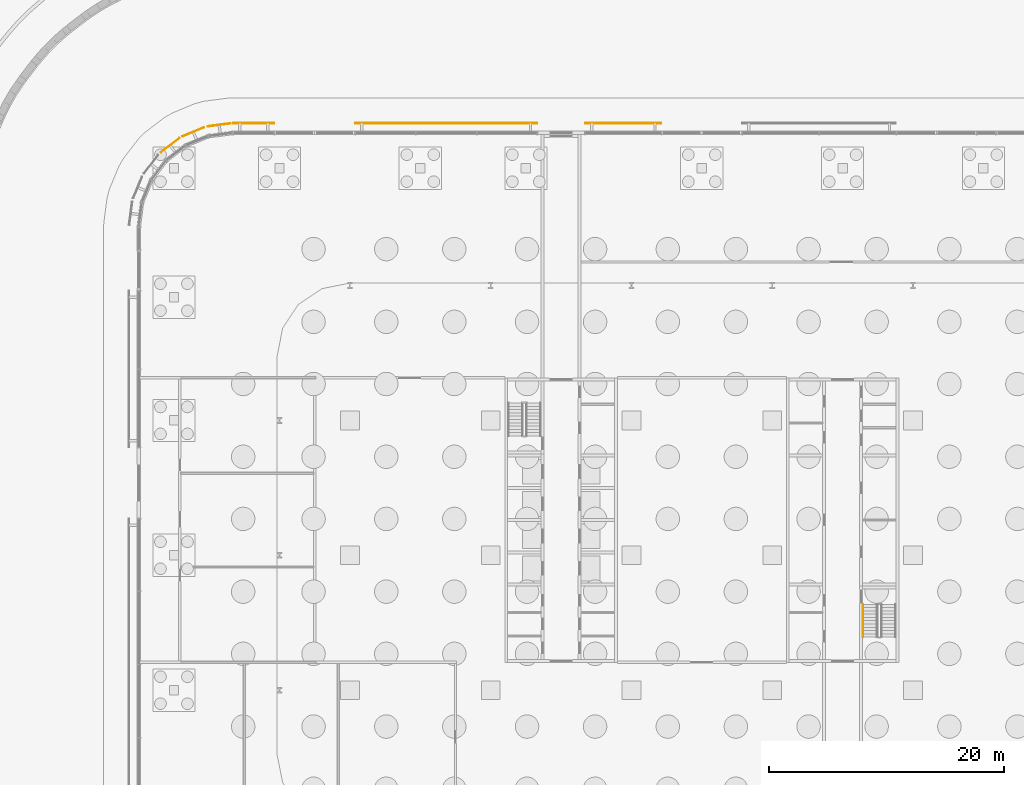
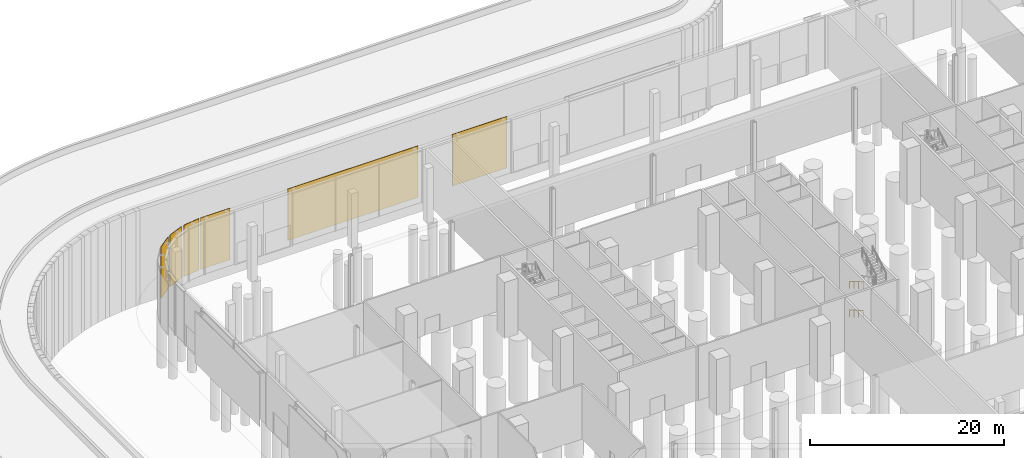
# One storey, part 40 of 48: 6 coverings, 2 railings.
"""IFC4 building model written with IfcOpenShell, lengths in metres."""

from ifc_helpers import new_model, si_unit, direction, frame, origin, origin_2d, place, context, subcontext, project, spatial, rectangle, circle, extrude, material, layer, layer_set, type_object, element, save


model = new_model("IFC4")

# Units and contexts
model_context = context("Model", 3, precision=1e-05, world=origin(), true_north=direction((0.0, 1.0)))
body_context = subcontext(model_context, "Body", "Model", "MODEL_VIEW")
ifc_project = project(units=[si_unit("LENGTHUNIT", "METRE"), si_unit("AREAUNIT", "SQUARE_METRE"), si_unit("VOLUMEUNIT", "CUBIC_METRE"), si_unit("PLANEANGLEUNIT", "RADIAN"), si_unit("MASSUNIT", "GRAM", prefix="KILO")], contexts=[model_context])

# Site, building, storey
site_placement = place(None, origin())
site = spatial("IfcSite", under=ifc_project, at=site_placement, CompositionType="ELEMENT")
building_placement = place(site_placement, origin())
building = spatial("IfcBuilding", under=site, at=building_placement, Name="Mahtab Terrace Research Tower", CompositionType="ELEMENT")
storey_placement = place(building_placement, origin())
storey = spatial("IfcBuildingStorey", under=building, at=storey_placement, Name="G", CompositionType="ELEMENT", Elevation=0.0)

# Coverings
ifc_material_1 = material(Name="Bronze anodised aluminium", Category="aluminium")
ifc_layer = layer(ifc_material_1, 0.06005859375)
ifc_layer_set = layer_set([ifc_layer], Name="Ground facade girih screen panel")
covering_type = type_object("IfcCoveringType", Name="Ground facade girih screen panel", PredefinedType="CLADDING", material=ifc_layer_set)
covering_1_placement = place(storey_placement, frame((-18.699951171875, 36.830078125, 0.10009765625), z_axis=(0.0, 0.0, 1.0), x_axis=(-1.0, 0.0, 0.0)))
element("IfcCovering", 1, at=covering_1_placement, inside=storey, type_object=covering_type, Name="Girih screen ground N12", PredefinedType="CLADDING", context=body_context, shape_type="SweptSolid", body=[
    extrude(rectangle(XDim=6.5, YDim=0.06005859375, at=origin_2d()), origin(), (0.0, 0.0, 1.0), 6.5),
])
covering_2_placement = place(storey_placement, frame((-33.800048828125, 36.830078125, 0.10009765625), z_axis=(0.0, 0.0, 1.0), x_axis=(-1.0, 0.0, 0.0)))
element("IfcCovering", 2, at=covering_2_placement, inside=storey, type_object=covering_type, Name="Girih screen ground N14", PredefinedType="CLADDING", context=body_context, shape_type="SweptSolid", body=[
    extrude(rectangle(XDim=15.5, YDim=0.06005859375, at=origin_2d()), origin(), (0.0, 0.0, 1.0), 6.5),
])
covering_3_placement = place(storey_placement, frame((-50.199951171875, 36.830078125, 0.10009765625), z_axis=(0.0, 0.0, 1.0), x_axis=(-1.0, 0.0, 0.0)))
element("IfcCovering", 3, at=covering_3_placement, inside=storey, type_object=covering_type, Name="Girih screen ground N17", PredefinedType="CLADDING", context=body_context, shape_type="SweptSolid", body=[
    extrude(rectangle(XDim=3.5, YDim=0.06005859375, at=origin_2d()), origin(), (0.0, 0.0, 1.0), 6.5),
])
covering_4_placement = place(storey_placement, frame((-53.14404296875, 36.686279296875, 0.10009765625), z_axis=(0.0, 0.0, 1.0), x_axis=(-0.991423309059, -0.130689793992, 0.0)))
element("IfcCovering", 4, at=covering_4_placement, inside=storey, type_object=covering_type, Name="Girih screen ground N1", PredefinedType="CLADDING", context=body_context, shape_type="SweptSolid", body=[
    extrude(rectangle(XDim=1.989013671875, YDim=0.06005859375, at=origin_2d()), origin(), (0.0, 0.0, 1.0), 6.5),
])
covering_5_placement = place(storey_placement, frame((-55.35302734375, 36.09423828125, 0.10009765625), z_axis=(0.0, 0.0, 1.0), x_axis=(-0.923882573998, -0.382676089485, 0.0)))
element("IfcCovering", 5, at=covering_5_placement, inside=storey, type_object=covering_type, Name="Girih screen ground N1", PredefinedType="CLADDING", context=body_context, shape_type="SweptSolid", body=[
    extrude(rectangle(XDim=1.988037109375, YDim=0.06005859375, at=origin_2d()), origin(), (0.0, 0.0, 1.0), 6.5),
])
covering_6_placement = place(storey_placement, frame((-57.333740234375, 34.951171875, 0.10009765625), z_axis=(0.0, 0.0, 1.0), x_axis=(-0.793459901021, -0.60862253119, 0.0)))
element("IfcCovering", 6, at=covering_6_placement, inside=storey, type_object=covering_type, Name="Girih screen ground N1", PredefinedType="CLADDING", context=body_context, shape_type="SweptSolid", body=[
    extrude(rectangle(XDim=1.98828125, YDim=0.06005859375, at=origin_2d()), origin(), (0.0, 0.0, 1.0), 6.5),
])

# Railings
ifc_material_2 = material(Name="Stainless steel AISI 304", Category="steel")
railing_type = type_object("IfcRailingType", Name="Stair handrail 900", PredefinedType="HANDRAIL", material=ifc_material_2)
railing_1_placement = place(storey_placement, frame((1.75, -4.175048828125, 0.16357421875)))
element("IfcRailing", 7, at=railing_1_placement, inside=storey, type_object=railing_type, Name="G ST2 stair handrail 1", PredefinedType="HANDRAIL", context=body_context, shape_type="SweptSolid", body=[
    extrude(circle(Radius=0.02392578125, at=origin_2d()), frame((0.0, 0.0, 0.8759765625), z_axis=(0.0, -0.863360870873, 0.504586966384), x_axis=(1.0, 0.0, 0.0)), (0.0, 0.0, 1.0), 3.2431640625),
    extrude(circle(Radius=0.02099609375, at=origin_2d()), origin(), (0.0, 0.0, 1.0), 0.851806640625),
    extrude(circle(Radius=0.02099609375, at=origin_2d()), frame((0.0, -0.933349609375, 0.54541015625)), (0.0, 0.0, 1.0), 0.851806640625),
    extrude(circle(Radius=0.02099609375, at=origin_2d()), frame((0.0, -1.86669921875, 1.091064453125)), (0.0, 0.0, 1.0), 0.851806640625),
    extrude(circle(Radius=0.02099609375, at=origin_2d()), frame((0.0, -2.800048828125, 1.636474609375)), (0.0, 0.0, 1.0), 0.851806640625),
])
railing_2_placement = place(storey_placement, frame((1.75, -4.175048828125, 3.763671875)))
element("IfcRailing", 8, at=railing_2_placement, inside=storey, type_object=railing_type, Name="G ST2 stair handrail 3", PredefinedType="HANDRAIL", context=body_context, shape_type="SweptSolid", body=[
    extrude(circle(Radius=0.02392578125, at=origin_2d()), frame((0.0, 0.0, 0.8759765625), z_axis=(0.0, -0.863393664356, 0.504530851732), x_axis=(1.0, 0.0, 0.0)), (0.0, 0.0, 1.0), 3.2431640625),
    extrude(circle(Radius=0.02099609375, at=origin_2d()), origin(), (0.0, 0.0, 1.0), 0.851806640625),
    extrude(circle(Radius=0.02099609375, at=origin_2d()), frame((0.0, -0.933349609375, 0.54541015625)), (0.0, 0.0, 1.0), 0.851806640625),
    extrude(circle(Radius=0.02099609375, at=origin_2d()), frame((0.0, -1.86669921875, 1.0908203125)), (0.0, 0.0, 1.0), 0.851806640625),
    extrude(circle(Radius=0.02099609375, at=origin_2d()), frame((0.0, -2.800048828125, 1.63623046875)), (0.0, 0.0, 1.0), 0.851806640625),
])

save(model, "model.ifc")
